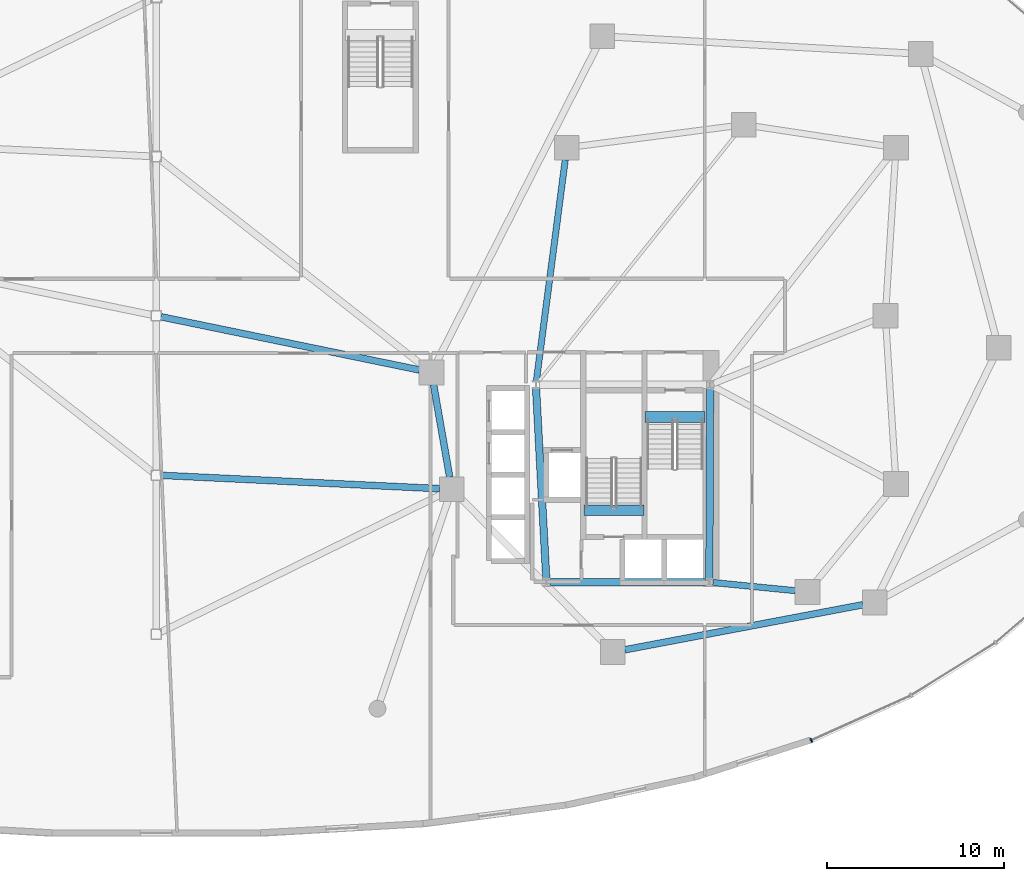
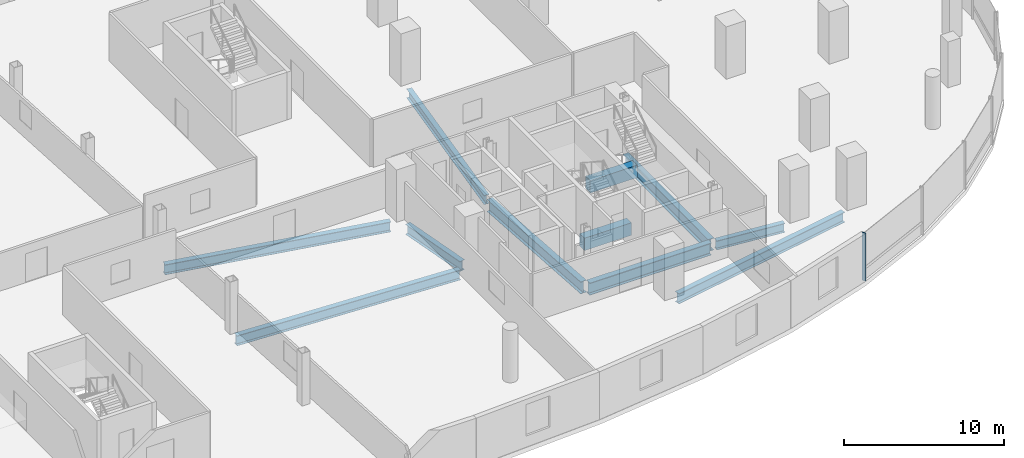
# One storey, part 7 of 19: 11 beams, 1 member, 1 element without a shape of its own.
"""IFC4 building model written with IfcOpenShell, lengths in metres."""

from ifc_helpers import new_model, si_unit, direction, frame, origin, origin_2d, place, context, subcontext, project, spatial, rectangle, i_section, extrude, material, material_profile, profile_set, type_object, element, aggregate, save


model = new_model("IFC4")

# Units and contexts
model_context = context("Model", 3, precision=1e-05, world=origin(), true_north=direction((0.0, 1.0)))
body_context = subcontext(model_context, "Body", "Model", "MODEL_VIEW")
ifc_project = project(units=[si_unit("LENGTHUNIT", "METRE"), si_unit("AREAUNIT", "SQUARE_METRE"), si_unit("VOLUMEUNIT", "CUBIC_METRE"), si_unit("PLANEANGLEUNIT", "RADIAN"), si_unit("MASSUNIT", "GRAM", prefix="KILO"), si_unit("THERMODYNAMICTEMPERATUREUNIT", "KELVIN"), si_unit("POWERUNIT", "WATT")], contexts=[model_context])

# Site, building, storey
site_placement = place(None, origin())
site = spatial("IfcSite", under=ifc_project, at=site_placement, CompositionType="ELEMENT")
building_placement = place(site_placement, origin())
building = spatial("IfcBuilding", under=site, at=building_placement, Name="Cundina Bronze Exchange", CompositionType="ELEMENT")
storey_placement = place(building_placement, frame((0.0, 0.0, 16.0)))
storey = spatial("IfcBuildingStorey", under=building, at=storey_placement, Name="L03", CompositionType="ELEMENT", Elevation=16.0)

# Beams
ifc_material_1 = material(Name="Concrete C60/75", Category="concrete")
ifc_material_profile_1 = material_profile(ifc_material_1, rectangle(XDim=0.60009765625, YDim=0.949951171875, at=origin_2d()), Name="RC600X950", Category="concrete")
ifc_profile_set_1 = profile_set([ifc_material_profile_1], Name="Concrete C60/75")
beam_type_1 = type_object("IfcBeamType", Name="BM-COUP-RC950", PredefinedType="LINTEL", material=ifc_profile_set_1)
beam_1_placement = place(storey_placement, frame((27.6201171875, -5.719970703125, -0.47509765625), z_axis=(1.0, 0.0, 0.0), x_axis=(0.0, 1.0, 0.0)))
element("IfcBeam", 1, at=beam_1_placement, inside=storey, type_object=beam_type_1, Name="L03 Stair E1 Landing Header Beam", PredefinedType="LINTEL", context=body_context, shape_type="SweptSolid", body=[
    extrude(rectangle(XDim=0.60009765625, YDim=0.949951171875, at=origin_2d()), origin(), (0.0, 0.0, 1.0), 3.39990234375),
])
beam_2_placement = place(storey_placement, frame((24.159912109375, -10.97998046875, -0.47509765625), z_axis=(1.0, 0.0, 0.0), x_axis=(0.0, 1.0, 0.0)))
element("IfcBeam", 2, at=beam_2_placement, inside=storey, type_object=beam_type_1, Name="L03 Stair E2 Landing Header Beam", PredefinedType="LINTEL", context=body_context, shape_type="SweptSolid", body=[
    extrude(rectangle(XDim=0.60009765625, YDim=0.949951171875, at=origin_2d()), origin(), (0.0, 0.0, 1.0), 3.400146484375),
])
ifc_material_2 = material(Name="Steel ASTM A992 Grade 50", Category="steel")
ifc_material_profile_2 = material_profile(ifc_material_2, i_section(OverallWidth=0.35498046875, OverallDepth=0.695068359375, WebThickness=0.015380859375, FlangeThickness=0.02490234375, FilletRadius=0.01806640625, at=origin_2d()), Name="W27X146", Category="steel")
ifc_profile_set_2 = profile_set([ifc_material_profile_2], Name="Steel ASTM A992 Grade 50")
beam_type_2 = type_object("IfcBeamType", Name="BM-RING-W27", PredefinedType="USERDEFINED", material=ifc_profile_set_2)
beam_3_placement = place(storey_placement, frame((31.452880859375, -15.070068359375, -0.697509765625), z_axis=(0.995123484374, -0.098636964914, 0.0), x_axis=(0.098636964914, 0.995123484374, 0.0)))
element("IfcBeam", 3, at=beam_3_placement, inside=storey, type_object=beam_type_2, Name="L03 E Inner Structural Ring Girder 01", ObjectType="GIRDER", PredefinedType="USERDEFINED", context=body_context, shape_type="SweptSolid", body=[
    extrude(i_section(OverallWidth=0.35498046875, OverallDepth=0.695068359375, WebThickness=0.015380859375, FlangeThickness=0.02490234375, FilletRadius=0.01806640625, at=origin_2d()), origin(), (0.0, 0.0, 1.0), 4.685546875),
])
beam_4_placement = place(storey_placement, frame((23.11083984375, 8.81787109375, -0.697509765625), z_axis=(-0.129498776905, -0.991579581668, 0.0), x_axis=(0.991579581668, -0.129498776905, 0.0)))
element("IfcBeam", 4, at=beam_4_placement, inside=storey, type_object=beam_type_2, Name="L03 E Inner Structural Ring Girder 07", ObjectType="GIRDER", PredefinedType="USERDEFINED", context=body_context, shape_type="SweptSolid", body=[
    extrude(i_section(OverallWidth=0.35498046875, OverallDepth=0.695068359375, WebThickness=0.015380859375, FlangeThickness=0.02490234375, FilletRadius=0.01806640625, at=origin_2d()), origin(), (0.0, 0.0, 1.0), 12.621826171875),
])
ifc_material_profile_3 = material_profile(ifc_material_2, i_section(OverallWidth=0.381103515625, OverallDepth=0.77294921875, WebThickness=0.0166015625, FlangeThickness=0.027099609375, FilletRadius=0.01904296875, at=origin_2d()), Name="W30X173", Category="steel")
ifc_profile_set_3 = profile_set([ifc_material_profile_3], Name="Steel ASTM A992 Grade 50")
beam_type_3 = type_object("IfcBeamType", Name="BM-RING-W30", PredefinedType="USERDEFINED", material=ifc_profile_set_3)
beam_5_placement = place(storey_placement, frame((0.28759765625, -9.013916015625, -0.736572265625), z_axis=(0.998854942473, -0.047841445389, 0.0), x_axis=(0.047841445389, 0.998854942473, 0.0)))
element("IfcBeam", 5, at=beam_5_placement, inside=storey, type_object=beam_type_3, Name="L03 Concourse East Span Girder 02", ObjectType="GIRDER", PredefinedType="USERDEFINED", context=body_context, shape_type="SweptSolid", body=[
    extrude(i_section(OverallWidth=0.381103515625, OverallDepth=0.77294921875, WebThickness=0.0166015625, FlangeThickness=0.027099609375, FilletRadius=0.01904296875, at=origin_2d()), origin(), (0.0, 0.0, 1.0), 15.7431640625),
])
beam_6_placement = place(storey_placement, frame((0.281982421875, -0.05810546875, -0.736572265625), z_axis=(0.979477217361, -0.201554907336, 0.0), x_axis=(0.201554907336, 0.979477217361, 0.0)))
element("IfcBeam", 6, at=beam_6_placement, inside=storey, type_object=beam_type_3, Name="L03 Concourse East Span Girder 03", ObjectType="GIRDER", PredefinedType="USERDEFINED", context=body_context, shape_type="SweptSolid", body=[
    extrude(i_section(OverallWidth=0.381103515625, OverallDepth=0.77294921875, WebThickness=0.0166015625, FlangeThickness=0.027099609375, FilletRadius=0.01904296875, at=origin_2d()), origin(), (0.0, 0.0, 1.0), 14.900146484375),
])
beam_7_placement = place(storey_placement, frame((15.668212890625, -3.877685546875, -0.736572265625), z_axis=(0.171608250567, -0.985165269555, 0.0), x_axis=(0.985165269555, 0.171608250567, 0.0)))
element("IfcBeam", 7, at=beam_7_placement, inside=storey, type_object=beam_type_3, Name="L03 E Podium Ring Girder 00", ObjectType="GIRDER", PredefinedType="USERDEFINED", context=body_context, shape_type="SweptSolid", body=[
    extrude(i_section(OverallWidth=0.381103515625, OverallDepth=0.77294921875, WebThickness=0.0166015625, FlangeThickness=0.027099609375, FilletRadius=0.01904296875, at=origin_2d()), origin(), (0.0, 0.0, 1.0), 5.323486328125),
])
beam_8_placement = place(storey_placement, frame((26.47607421875, -18.8720703125, -0.736572265625), z_axis=(0.982570597927, 0.18588980631, 0.0), x_axis=(-0.18588980631, 0.982570597927, 0.0)))
element("IfcBeam", 8, at=beam_8_placement, inside=storey, type_object=beam_type_3, Name="L03 E Podium Ring Girder 04", ObjectType="GIRDER", PredefinedType="USERDEFINED", context=body_context, shape_type="SweptSolid", body=[
    extrude(i_section(OverallWidth=0.381103515625, OverallDepth=0.77294921875, WebThickness=0.0166015625, FlangeThickness=0.027099609375, FilletRadius=0.01904296875, at=origin_2d()), origin(), (0.0, 0.0, 1.0), 13.6865234375),
])
ifc_material_profile_4 = material_profile(ifc_material_2, i_section(OverallWidth=0.41796875, OverallDepth=0.927001953125, WebThickness=0.019287109375, FlangeThickness=0.031982421875, FilletRadius=0.02392578125, at=origin_2d()), Name="W36X231", Category="steel")
ifc_profile_set_4 = profile_set([ifc_material_profile_4], Name="Steel ASTM A992 Grade 50")
beam_type_4 = type_object("IfcBeamType", Name="BM-WRN-W36B", PredefinedType="USERDEFINED", material=ifc_profile_set_4)
beam_9_placement = place(storey_placement, frame((21.4609375, -4.103759765625, -0.8134765625), z_axis=(0.053739193498, -0.998555005537, 0.0), x_axis=(0.998555005537, 0.053739193498, 0.0)))
element("IfcBeam", 9, at=beam_9_placement, inside=storey, type_object=beam_type_4, Name="L03 E Core Perimeter Tie Girder 2", ObjectType="GIRDER", PredefinedType="USERDEFINED", context=body_context, shape_type="SweptSolid", body=[
    extrude(i_section(OverallWidth=0.41796875, OverallDepth=0.927001953125, WebThickness=0.019287109375, FlangeThickness=0.031982421875, FilletRadius=0.02392578125, at=origin_2d()), origin(), (0.0, 0.0, 1.0), 10.758056640625),
])
beam_10_placement = place(storey_placement, frame((22.25390625, -15.050048828125, -0.8134765625), z_axis=(1.0, 0.0, 0.0), x_axis=(0.0, 1.0, 0.0)))
element("IfcBeam", 10, at=beam_10_placement, inside=storey, type_object=beam_type_4, Name="L03 E Core Perimeter Tie Girder 3", ObjectType="GIRDER", PredefinedType="USERDEFINED", context=body_context, shape_type="SweptSolid", body=[
    extrude(i_section(OverallWidth=0.41796875, OverallDepth=0.927001953125, WebThickness=0.019287109375, FlangeThickness=0.031982421875, FilletRadius=0.02392578125, at=origin_2d()), origin(), (0.0, 0.0, 1.0), 8.7919921875),
])
beam_11_placement = place(storey_placement, frame((31.2509765625, -14.845947265625, -0.8134765625), z_axis=(0.004477329608, 0.99998997671, 0.0), x_axis=(-0.99998997671, 0.004477329608, 0.0)))
element("IfcBeam", 11, at=beam_11_placement, inside=storey, type_object=beam_type_4, Name="L03 E Core Perimeter Tie Girder 4", ObjectType="GIRDER", PredefinedType="USERDEFINED", context=body_context, shape_type="SweptSolid", body=[
    extrude(i_section(OverallWidth=0.41796875, OverallDepth=0.927001953125, WebThickness=0.019287109375, FlangeThickness=0.031982421875, FilletRadius=0.02392578125, at=origin_2d()), origin(), (0.0, 0.0, 1.0), 10.741943359375),
])

# Curtain wall, member
ifc_material_3 = material(Name="Anodised Bronze Aluminium 6063-T6", Category="aluminium")
curtain_wall_type = type_object("IfcCurtainWallType", Name="CWS-POD-CONC", PredefinedType="NOTDEFINED", material=ifc_material_3)
curtain_wall_placement = place(storey_placement, origin())
curtain_wall = element("IfcCurtainWall", 12, at=curtain_wall_placement, inside=storey, type_object=curtain_wall_type, Name="L03 CW-01 Curtain Wall Run CWR-L03-06", PredefinedType="NOTDEFINED")
ifc_material_profile_5 = material_profile(ifc_material_3, rectangle(XDim=0.0849609375, YDim=0.25, at=origin_2d()), Name="AL85X250", Category="aluminium")
ifc_profile_set_5 = profile_set([ifc_material_profile_5], Name="Anodised Bronze Aluminium 6063-T6")
member_type = type_object("IfcMemberType", Name="CWM-MUL-250", PredefinedType="MULLION", material=ifc_profile_set_5)
member_placement = place(storey_placement, frame((37.013671875, -23.990478515625, 0.0), z_axis=(0.0, 0.0, 1.0), x_axis=(0.911618620107, 0.411037092578, 0.0)))
member = element("IfcMember", 13, at=member_placement, type_object=member_type, Name="CW-01 Mullion 1", PredefinedType="MULLION", context=body_context, shape_type="SweptSolid", body=[
    extrude(rectangle(XDim=0.0849609375, YDim=0.25, at=origin_2d()), origin(), (0.0, 0.0, 1.0), 3.64990234375),
])
aggregate(curtain_wall, [member])

save(model, "model.ifc")
